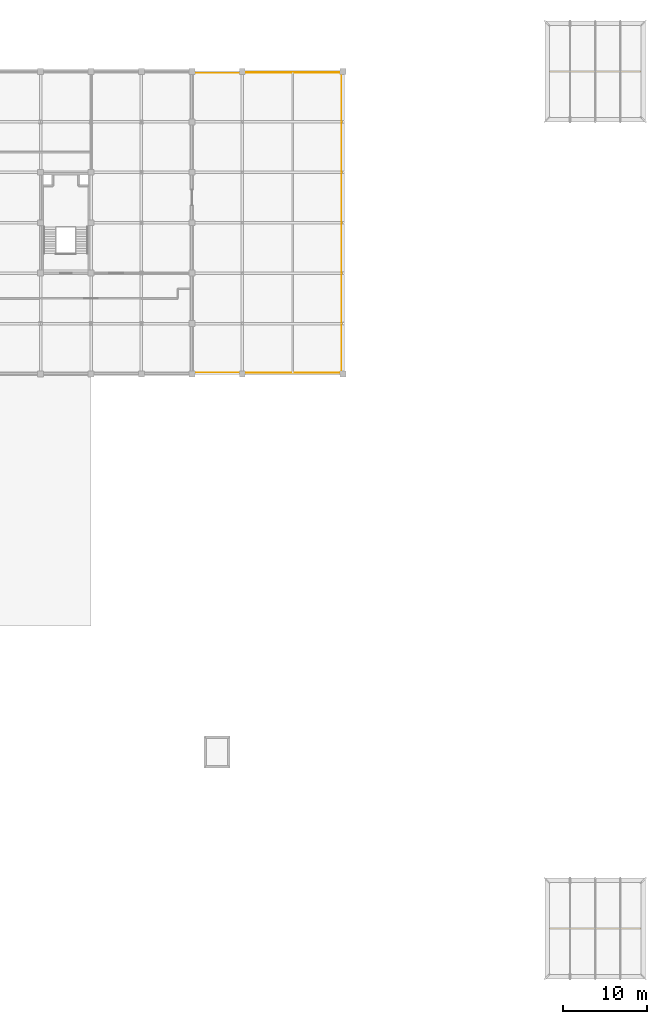
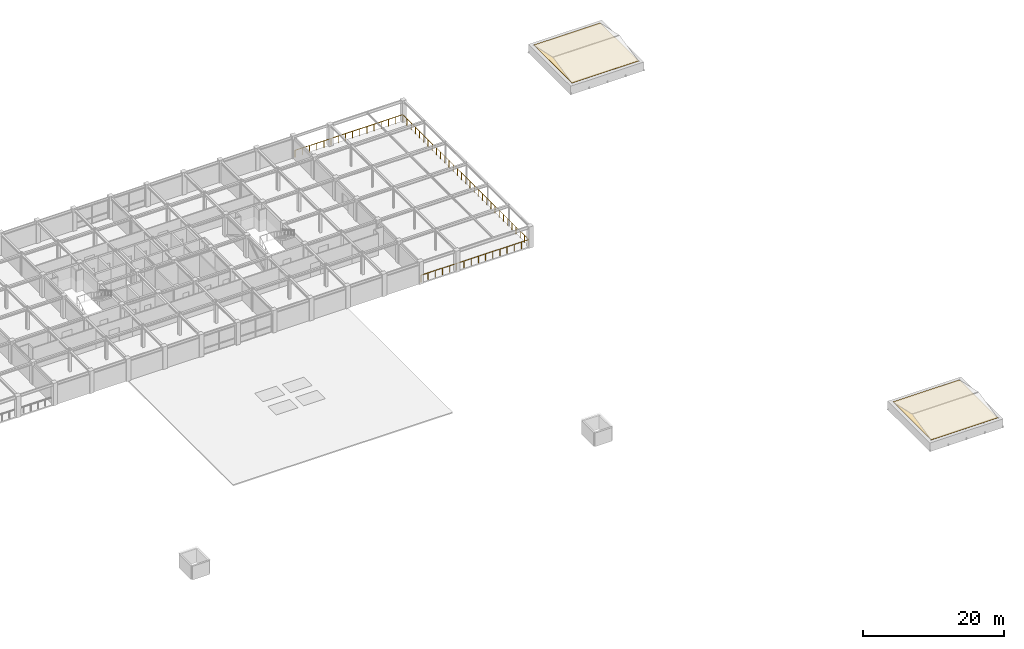
# One storey, part 25 of 25: 2 coverings, 1 railing.
"""IFC4 building model written with IfcOpenShell, lengths in metres."""

from ifc_helpers import new_model, si_unit, direction, frame, origin, origin_2d, place, context, subcontext, project, spatial, polyline, circle, outline, extrude, material, layer, layer_set, type_object, element, save


model = new_model("IFC4")

# Units and contexts
model_context = context("Model", 3, precision=1e-05, world=origin(), true_north=direction((0.0, 1.0)))
body_context = subcontext(model_context, "Body", "Model", "MODEL_VIEW")
ifc_project = project(units=[si_unit("LENGTHUNIT", "METRE"), si_unit("AREAUNIT", "SQUARE_METRE"), si_unit("VOLUMEUNIT", "CUBIC_METRE"), si_unit("PLANEANGLEUNIT", "RADIAN"), si_unit("MASSUNIT", "GRAM", prefix="KILO")], contexts=[model_context])

# Site, building, storey
site_placement = place(None, origin())
site = spatial("IfcSite", under=ifc_project, at=site_placement, CompositionType="ELEMENT")
building_placement = place(site_placement, origin())
building = spatial("IfcBuilding", under=site, at=building_placement, Name="Zlatovratsky Civic Hall", CompositionType="ELEMENT")
storey_placement = place(building_placement, frame((0.0, 0.0, 21.0)))
storey = spatial("IfcBuildingStorey", under=building, at=storey_placement, Name="L05", CompositionType="ELEMENT", Elevation=21.0)

# Coverings
ifc_material_1 = material(Name="Standing-seam patinated copper roofing")
ifc_layer = layer(ifc_material_1, 0.030029296875)
ifc_layer_set = layer_set([ifc_layer], Name="Standing-seam patinated copper roofing")
covering_type = type_object("IfcCoveringType", Name="Covering_CopperMansardRoofing", PredefinedType="ROOFING", material=ifc_layer_set)
covering_1_placement = place(storey_placement, frame((0.0, 0.0, 1.199951171875)))
element("IfcCovering", 1, at=covering_1_placement, inside=storey, type_object=covering_type, Name="RFG-156-0", PredefinedType="ROOFING", context=body_context, shape_type="SweptSolid", body=[
    extrude(outline(polyline([(156.550048828125, 0.550048828125), (167.449951171875, 0.550048828125), (167.449951171875, 11.449951171875), (156.550048828125, 11.449951171875), (156.550048828125, 0.550048828125)])), origin(), (0.0, 0.0, 1.0), 0.030029296875),
])
covering_2_placement = place(storey_placement, frame((0.0, 0.0, 1.199951171875)))
element("IfcCovering", 2, at=covering_2_placement, inside=storey, type_object=covering_type, Name="RFG-156-102", PredefinedType="ROOFING", context=body_context, shape_type="SweptSolid", body=[
    extrude(outline(polyline([(156.550048828125, 102.550048828125), (167.449951171875, 102.550048828125), (167.449951171875, 113.449951171875), (156.550048828125, 113.449951171875), (156.550048828125, 102.550048828125)])), origin(), (0.0, 0.0, 1.0), 0.030029296875),
])

# Railing
ifc_material_2 = material(Name="Podolsk limestone ashlar", Category="masonry")
railing_type = type_object("IfcRailingType", Name="Railing_StoneBalustrade_1200", PredefinedType="BALUSTRADE", material=ifc_material_2)
railing_placement = place(storey_placement, frame((114.199951171875, 72.139892578125, 0.0)))
element("IfcRailing", 3, at=railing_placement, inside=storey, type_object=railing_type, Name="RL-002", PredefinedType="BALUSTRADE", context=body_context, shape_type="SweptSolid", body=[
    extrude(circle(Radius=0.02392578125, at=origin_2d()), frame((0.0, 0.0, 1.17578125), z_axis=(1.0, 0.0, 0.0), x_axis=(0.0, 1.0, 0.0)), (0.0, 0.0, 1.0), 17.66015625),
    extrude(circle(Radius=0.02392578125, at=origin_2d()), frame((17.66015625, 0.0, 1.17578125), z_axis=(0.0, 1.0, 0.0), x_axis=(-1.0, 0.0, 0.0)), (0.0, 0.0, 1.0), 35.72021484375),
    extrude(circle(Radius=0.02392578125, at=origin_2d()), frame((17.66015625, 35.72021484375, 1.17578125), z_axis=(-1.0, 0.0, 0.0), x_axis=(0.0, -1.0, 0.0)), (0.0, 0.0, 1.0), 17.66015625),
    extrude(circle(Radius=0.02099609375, at=origin_2d()), origin(), (0.0, 0.0, 1.0), 1.15185546875),
    extrude(circle(Radius=0.02099609375, at=origin_2d()), frame((1.17724609375, 0.0, 0.0)), (0.0, 0.0, 1.0), 1.15185546875),
    extrude(circle(Radius=0.02099609375, at=origin_2d()), frame((2.354736328125, 0.0, 0.0)), (0.0, 0.0, 1.0), 1.15185546875),
    extrude(circle(Radius=0.02099609375, at=origin_2d()), frame((3.531982421875, 0.0, 0.0)), (0.0, 0.0, 1.0), 1.15185546875),
    extrude(circle(Radius=0.02099609375, at=origin_2d()), frame((4.70947265625, 0.0, 0.0)), (0.0, 0.0, 1.0), 1.15185546875),
    extrude(circle(Radius=0.02099609375, at=origin_2d()), frame((5.88671875, 0.0, 0.0)), (0.0, 0.0, 1.0), 1.15185546875),
    extrude(circle(Radius=0.02099609375, at=origin_2d()), frame((7.06396484375, 0.0, 0.0)), (0.0, 0.0, 1.0), 1.15185546875),
    extrude(circle(Radius=0.02099609375, at=origin_2d()), frame((8.241455078125, 0.0, 0.0)), (0.0, 0.0, 1.0), 1.15185546875),
    extrude(circle(Radius=0.02099609375, at=origin_2d()), frame((9.418701171875, 0.0, 0.0)), (0.0, 0.0, 1.0), 1.15185546875),
    extrude(circle(Radius=0.02099609375, at=origin_2d()), frame((10.59619140625, 0.0, 0.0)), (0.0, 0.0, 1.0), 1.15185546875),
    extrude(circle(Radius=0.02099609375, at=origin_2d()), frame((11.7734375, 0.0, 0.0)), (0.0, 0.0, 1.0), 1.15185546875),
    extrude(circle(Radius=0.02099609375, at=origin_2d()), frame((12.95068359375, 0.0, 0.0)), (0.0, 0.0, 1.0), 1.15185546875),
    extrude(circle(Radius=0.02099609375, at=origin_2d()), frame((14.128173828125, 0.0, 0.0)), (0.0, 0.0, 1.0), 1.15185546875),
    extrude(circle(Radius=0.02099609375, at=origin_2d()), frame((15.305419921875, 0.0, 0.0)), (0.0, 0.0, 1.0), 1.15185546875),
    extrude(circle(Radius=0.02099609375, at=origin_2d()), frame((16.48291015625, 0.0, 0.0)), (0.0, 0.0, 1.0), 1.15185546875),
    extrude(circle(Radius=0.02099609375, at=origin_2d()), frame((17.66015625, 0.0, 0.0)), (0.0, 0.0, 1.0), 1.15185546875),
    extrude(circle(Radius=0.02099609375, at=origin_2d()), frame((17.66015625, 1.190673828125, 0.0)), (0.0, 0.0, 1.0), 1.15185546875),
    extrude(circle(Radius=0.02099609375, at=origin_2d()), frame((17.66015625, 2.38134765625, 0.0)), (0.0, 0.0, 1.0), 1.15185546875),
    extrude(circle(Radius=0.02099609375, at=origin_2d()), frame((17.66015625, 3.572021484375, 0.0)), (0.0, 0.0, 1.0), 1.15185546875),
    extrude(circle(Radius=0.02099609375, at=origin_2d()), frame((17.66015625, 4.7626953125, 0.0)), (0.0, 0.0, 1.0), 1.15185546875),
    extrude(circle(Radius=0.02099609375, at=origin_2d()), frame((17.66015625, 5.953369140625, 0.0)), (0.0, 0.0, 1.0), 1.15185546875),
    extrude(circle(Radius=0.02099609375, at=origin_2d()), frame((17.66015625, 7.14404296875, 0.0)), (0.0, 0.0, 1.0), 1.15185546875),
    extrude(circle(Radius=0.02099609375, at=origin_2d()), frame((17.66015625, 8.334716796875, 0.0)), (0.0, 0.0, 1.0), 1.15185546875),
    extrude(circle(Radius=0.02099609375, at=origin_2d()), frame((17.66015625, 9.525390625, 0.0)), (0.0, 0.0, 1.0), 1.15185546875),
    extrude(circle(Radius=0.02099609375, at=origin_2d()), frame((17.66015625, 10.716064453125, 0.0)), (0.0, 0.0, 1.0), 1.15185546875),
    extrude(circle(Radius=0.02099609375, at=origin_2d()), frame((17.66015625, 11.90673828125, 0.0)), (0.0, 0.0, 1.0), 1.15185546875),
    extrude(circle(Radius=0.02099609375, at=origin_2d()), frame((17.66015625, 13.097412109375, 0.0)), (0.0, 0.0, 1.0), 1.15185546875),
    extrude(circle(Radius=0.02099609375, at=origin_2d()), frame((17.66015625, 14.2880859375, 0.0)), (0.0, 0.0, 1.0), 1.15185546875),
    extrude(circle(Radius=0.02099609375, at=origin_2d()), frame((17.66015625, 15.478759765625, 0.0)), (0.0, 0.0, 1.0), 1.15185546875),
    extrude(circle(Radius=0.02099609375, at=origin_2d()), frame((17.66015625, 16.66943359375, 0.0)), (0.0, 0.0, 1.0), 1.15185546875),
    extrude(circle(Radius=0.02099609375, at=origin_2d()), frame((17.66015625, 17.860107421875, 0.0)), (0.0, 0.0, 1.0), 1.15185546875),
    extrude(circle(Radius=0.02099609375, at=origin_2d()), frame((17.66015625, 19.05078125, 0.0)), (0.0, 0.0, 1.0), 1.15185546875),
    extrude(circle(Radius=0.02099609375, at=origin_2d()), frame((17.66015625, 20.241455078125, 0.0)), (0.0, 0.0, 1.0), 1.15185546875),
    extrude(circle(Radius=0.02099609375, at=origin_2d()), frame((17.66015625, 21.43212890625, 0.0)), (0.0, 0.0, 1.0), 1.15185546875),
    extrude(circle(Radius=0.02099609375, at=origin_2d()), frame((17.66015625, 22.622802734375, 0.0)), (0.0, 0.0, 1.0), 1.15185546875),
    extrude(circle(Radius=0.02099609375, at=origin_2d()), frame((17.66015625, 23.8134765625, 0.0)), (0.0, 0.0, 1.0), 1.15185546875),
    extrude(circle(Radius=0.02099609375, at=origin_2d()), frame((17.66015625, 25.004150390625, 0.0)), (0.0, 0.0, 1.0), 1.15185546875),
    extrude(circle(Radius=0.02099609375, at=origin_2d()), frame((17.66015625, 26.19482421875, 0.0)), (0.0, 0.0, 1.0), 1.15185546875),
    extrude(circle(Radius=0.02099609375, at=origin_2d()), frame((17.66015625, 27.385498046875, 0.0)), (0.0, 0.0, 1.0), 1.15185546875),
    extrude(circle(Radius=0.02099609375, at=origin_2d()), frame((17.66015625, 28.576171875, 0.0)), (0.0, 0.0, 1.0), 1.15185546875),
    extrude(circle(Radius=0.02099609375, at=origin_2d()), frame((17.66015625, 29.766845703125, 0.0)), (0.0, 0.0, 1.0), 1.15185546875),
    extrude(circle(Radius=0.02099609375, at=origin_2d()), frame((17.66015625, 30.95751953125, 0.0)), (0.0, 0.0, 1.0), 1.15185546875),
    extrude(circle(Radius=0.02099609375, at=origin_2d()), frame((17.66015625, 32.148193359375, 0.0)), (0.0, 0.0, 1.0), 1.15185546875),
    extrude(circle(Radius=0.02099609375, at=origin_2d()), frame((17.66015625, 33.3388671875, 0.0)), (0.0, 0.0, 1.0), 1.15185546875),
    extrude(circle(Radius=0.02099609375, at=origin_2d()), frame((17.66015625, 34.529541015625, 0.0)), (0.0, 0.0, 1.0), 1.15185546875),
    extrude(circle(Radius=0.02099609375, at=origin_2d()), frame((17.66015625, 35.72021484375, 0.0)), (0.0, 0.0, 1.0), 1.15185546875),
    extrude(circle(Radius=0.02099609375, at=origin_2d()), frame((16.48291015625, 35.72021484375, 0.0)), (0.0, 0.0, 1.0), 1.15185546875),
    extrude(circle(Radius=0.02099609375, at=origin_2d()), frame((15.305419921875, 35.72021484375, 0.0)), (0.0, 0.0, 1.0), 1.15185546875),
    extrude(circle(Radius=0.02099609375, at=origin_2d()), frame((14.128173828125, 35.72021484375, 0.0)), (0.0, 0.0, 1.0), 1.15185546875),
    extrude(circle(Radius=0.02099609375, at=origin_2d()), frame((12.95068359375, 35.72021484375, 0.0)), (0.0, 0.0, 1.0), 1.15185546875),
    extrude(circle(Radius=0.02099609375, at=origin_2d()), frame((11.7734375, 35.72021484375, 0.0)), (0.0, 0.0, 1.0), 1.15185546875),
    extrude(circle(Radius=0.02099609375, at=origin_2d()), frame((10.59619140625, 35.72021484375, 0.0)), (0.0, 0.0, 1.0), 1.15185546875),
    extrude(circle(Radius=0.02099609375, at=origin_2d()), frame((9.418701171875, 35.72021484375, 0.0)), (0.0, 0.0, 1.0), 1.15185546875),
    extrude(circle(Radius=0.02099609375, at=origin_2d()), frame((8.241455078125, 35.72021484375, 0.0)), (0.0, 0.0, 1.0), 1.15185546875),
    extrude(circle(Radius=0.02099609375, at=origin_2d()), frame((7.06396484375, 35.72021484375, 0.0)), (0.0, 0.0, 1.0), 1.15185546875),
    extrude(circle(Radius=0.02099609375, at=origin_2d()), frame((5.88671875, 35.72021484375, 0.0)), (0.0, 0.0, 1.0), 1.15185546875),
    extrude(circle(Radius=0.02099609375, at=origin_2d()), frame((4.70947265625, 35.72021484375, 0.0)), (0.0, 0.0, 1.0), 1.15185546875),
    extrude(circle(Radius=0.02099609375, at=origin_2d()), frame((3.531982421875, 35.72021484375, 0.0)), (0.0, 0.0, 1.0), 1.15185546875),
    extrude(circle(Radius=0.02099609375, at=origin_2d()), frame((2.354736328125, 35.72021484375, 0.0)), (0.0, 0.0, 1.0), 1.15185546875),
    extrude(circle(Radius=0.02099609375, at=origin_2d()), frame((1.17724609375, 35.72021484375, 0.0)), (0.0, 0.0, 1.0), 1.15185546875),
    extrude(circle(Radius=0.02099609375, at=origin_2d()), frame((0.0, 35.72021484375, 0.0)), (0.0, 0.0, 1.0), 1.15185546875),
])

save(model, "model.ifc")
